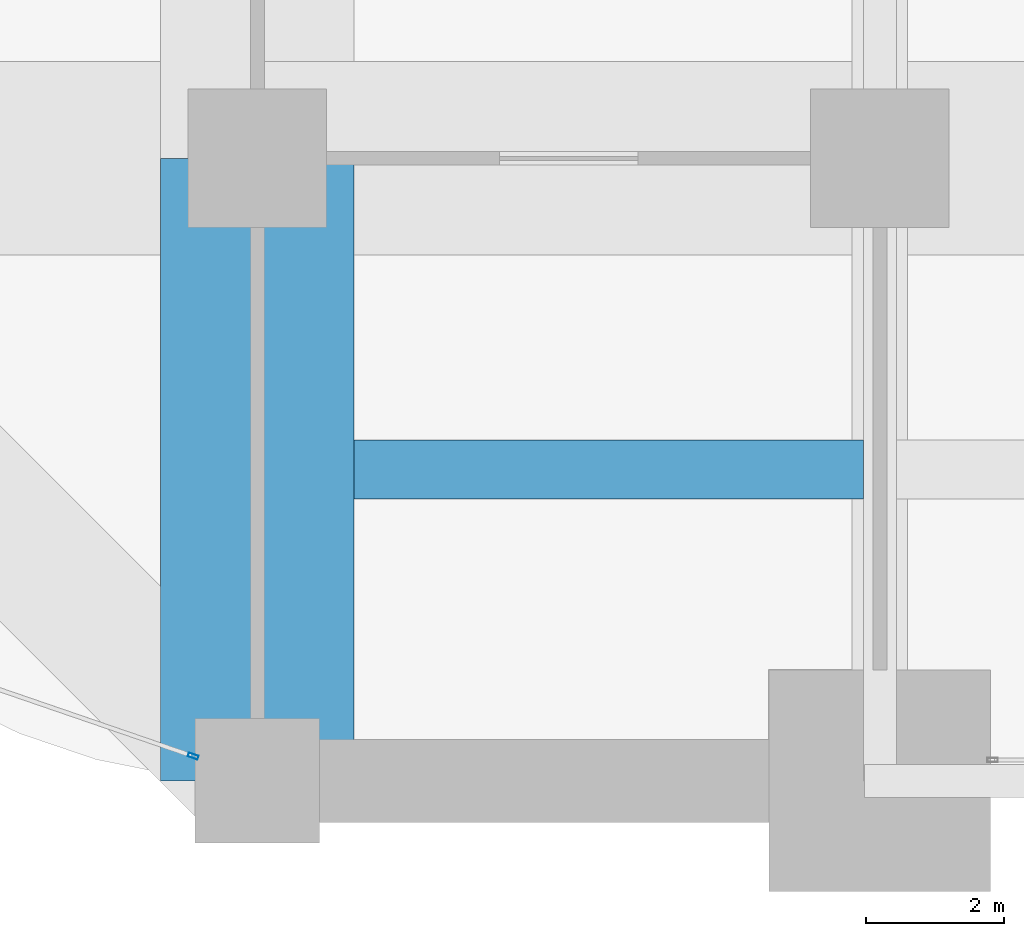
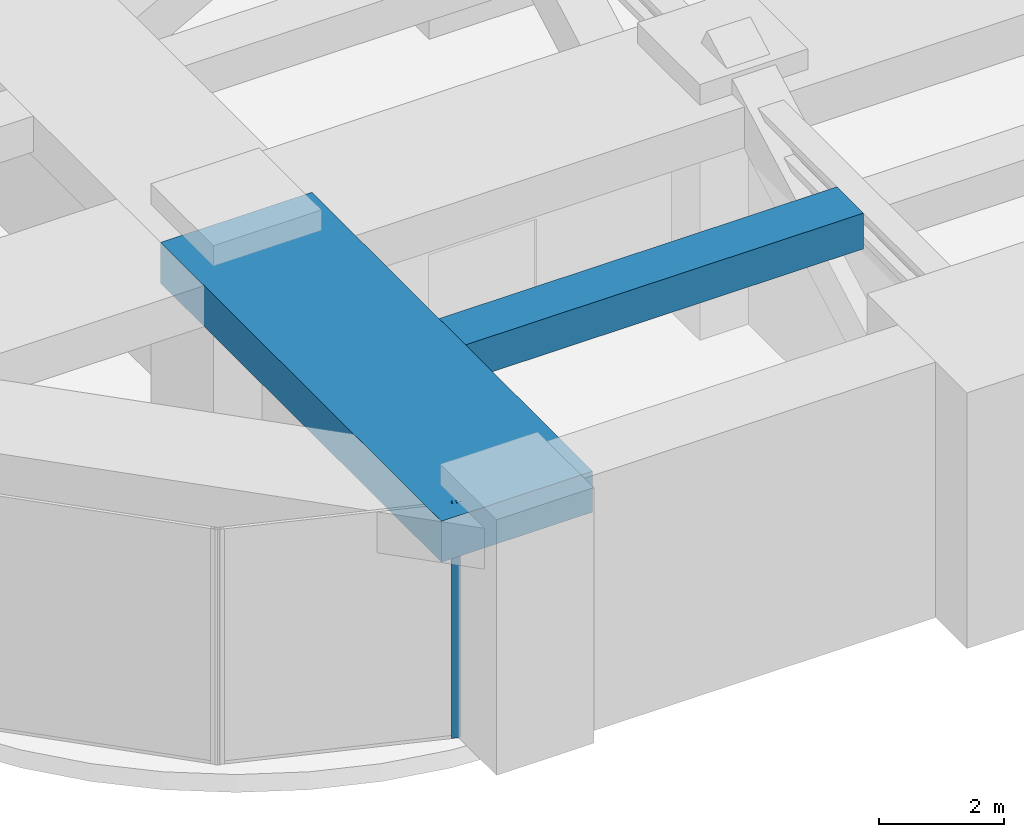
# One storey, part 4 of 38: 2 beams, 1 member, 1 element without a shape of its own.
"""IFC4 building model written with IfcOpenShell, lengths in metres."""

from ifc_helpers import new_model, si_unit, direction, frame, origin, origin_2d, place, context, subcontext, project, spatial, rectangle, hollow_rectangle, extrude, material, material_profile, profile_set, type_object, element, aggregate, save


model = new_model("IFC4")

# Units and contexts
model_context = context("Model", 3, precision=1e-05, world=origin(), true_north=direction((0.0, 1.0)))
body_context = subcontext(model_context, "Body", "Model", "MODEL_VIEW")
ifc_project = project(units=[si_unit("LENGTHUNIT", "METRE"), si_unit("AREAUNIT", "SQUARE_METRE"), si_unit("VOLUMEUNIT", "CUBIC_METRE"), si_unit("PLANEANGLEUNIT", "RADIAN"), si_unit("MASSUNIT", "GRAM", prefix="KILO")], contexts=[model_context])

# Site, building, storey
site_placement = place(None, origin())
site = spatial("IfcSite", under=ifc_project, at=site_placement, CompositionType="ELEMENT")
building_placement = place(site_placement, origin())
building = spatial("IfcBuilding", under=site, at=building_placement, Name="Zorevar Civic Tower", CompositionType="ELEMENT")
storey_placement = place(building_placement, frame((0.0, 0.0, 157.199951171875)))
storey = spatial("IfcBuildingStorey", under=building, at=storey_placement, Name="L38", CompositionType="ELEMENT", Elevation=157.199951171875)

# Beams
ifc_material_1 = material(Name="Concrete C50/60", Category="concrete")
ifc_material_profile_1 = material_profile(ifc_material_1, rectangle(XDim=2.800048828125, YDim=0.800048828125, at=origin_2d()), Name="RC 2800x800")
ifc_profile_set_1 = profile_set([ifc_material_profile_1], Name="Concrete C50/60")
beam_type_1 = type_object("IfcBeamType", Name="Beam RC 2800x800", PredefinedType="BEAM", material=ifc_profile_set_1)
beam_1_placement = place(storey_placement, frame((9.0, 0.0, 4.199951171875), z_axis=(0.0, 1.0, 0.0), x_axis=(-1.0, 0.0, 0.0)))
element("IfcBeam", 1, at=beam_1_placement, inside=storey, type_object=beam_type_1, Name="Girder L39", PredefinedType="BEAM", context=body_context, shape_type="SweptSolid", body=[
    extrude(rectangle(XDim=2.800048828125, YDim=0.800048828125, at=origin_2d()), origin(), (0.0, 0.0, 1.0), 9.0),
])
ifc_material_2 = material(Name="Concrete C50/60", Category="concrete")
ifc_material_profile_2 = material_profile(ifc_material_2, rectangle(XDim=0.85009765625, YDim=0.699951171875, at=origin_2d()), Name="RC 850x700")
ifc_profile_set_2 = profile_set([ifc_material_profile_2], Name="Concrete C50/60")
beam_type_2 = type_object("IfcBeamType", Name="Beam RC 850x700", PredefinedType="BEAM", material=ifc_profile_set_2)
beam_2_placement = place(storey_placement, frame((10.39990234375, 4.5, 4.25), z_axis=(1.0, 0.0, 0.0), x_axis=(0.0, 1.0, 0.0)))
element("IfcBeam", 2, at=beam_2_placement, inside=storey, type_object=beam_type_2, Name="Secondary beam L39", PredefinedType="BEAM", context=body_context, shape_type="SweptSolid", body=[
    extrude(rectangle(XDim=0.85009765625, YDim=0.699951171875, at=origin_2d()), origin(), (0.0, 0.0, 1.0), 7.362060546875),
])

# Curtain wall, member
ifc_material_3 = material(Name="Black aluminium louvres", Category="aluminium")
curtain_wall_type = type_object("IfcCurtainWallType", Name="Louvred curtain wall CW6 refuge", PredefinedType="NOTDEFINED", material=ifc_material_3)
curtain_wall_placement = place(storey_placement, origin())
curtain_wall = element("IfcCurtainWall", 3, at=curtain_wall_placement, inside=storey, type_object=curtain_wall_type, Name="CW6 L38", PredefinedType="NOTDEFINED")
ifc_material_4 = material(Name="Aluminium, black anodised", Category="aluminium")
ifc_material_profile_3 = material_profile(ifc_material_4, hollow_rectangle(XDim=0.06005859375, YDim=0.14990234375, WallThickness=0.00390625, at=origin_2d()), Name="AL 150x60x4")
ifc_profile_set_3 = profile_set([ifc_material_profile_3], Name="Aluminium, black anodised")
member_type = type_object("IfcMemberType", Name="CW6 mullion AL 150x60x4", PredefinedType="MULLION", material=ifc_profile_set_3)
member_placement = place(storey_placement, frame((8.071533203125, 0.3564453125, 0.0), z_axis=(0.0, 0.0, 1.0), x_axis=(0.324878466857, 0.945755772794, 0.0)))
member = element("IfcMember", 4, at=member_placement, type_object=member_type, Name="CW6 mullion 2", PredefinedType="MULLION", context=body_context, shape_type="SweptSolid", body=[
    extrude(hollow_rectangle(XDim=0.06005859375, YDim=0.14990234375, WallThickness=0.00390625, at=origin_2d()), origin(), (0.0, 0.0, 1.0), 4.60009765625),
])
aggregate(curtain_wall, [member])

save(model, "model.ifc")
